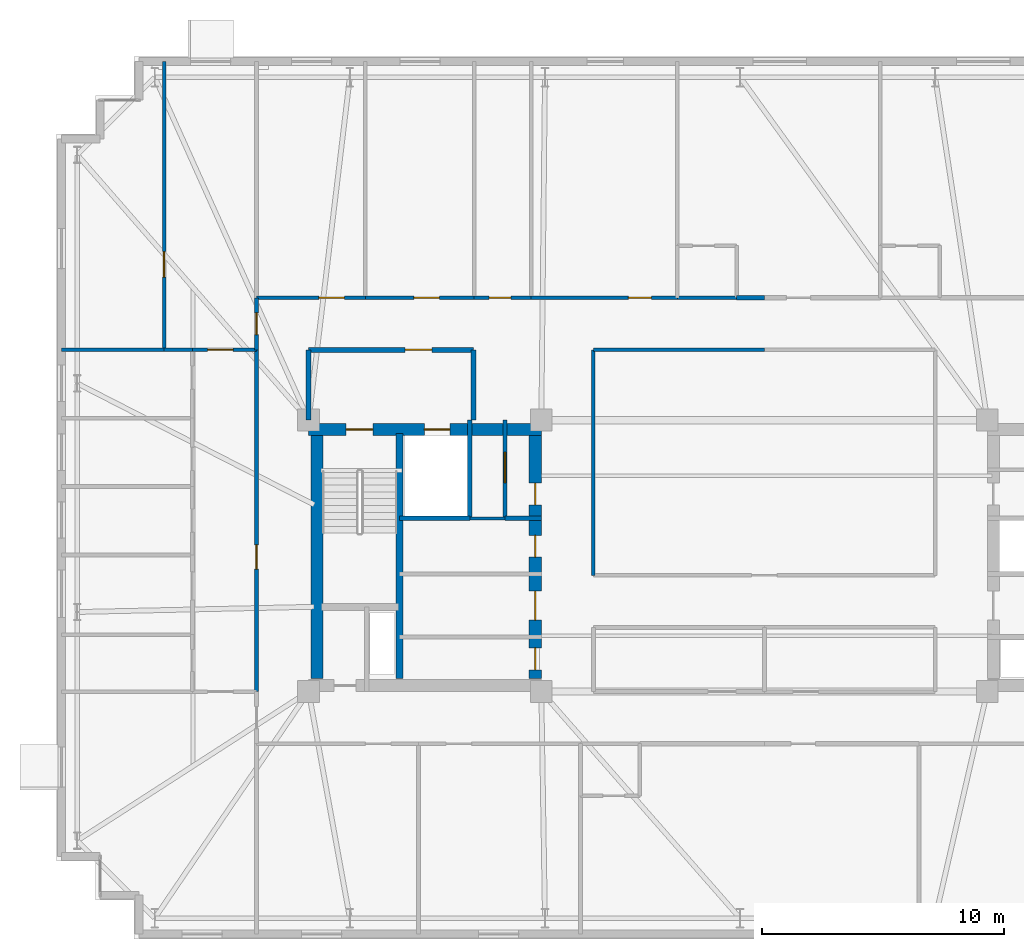
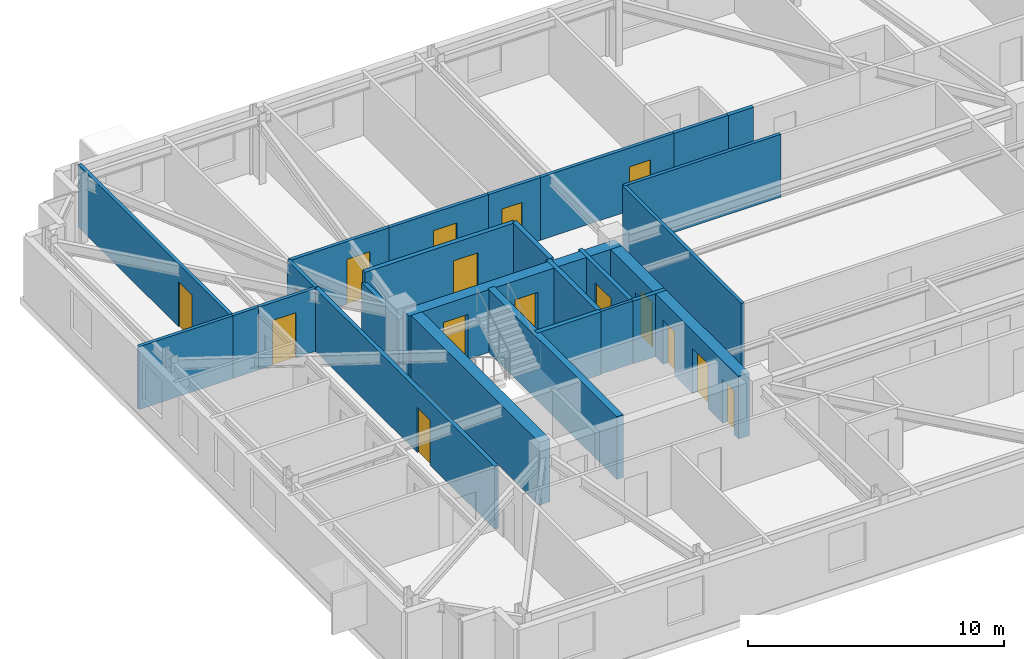
# One storey, part 12 of 17: 26 walls, 16 doors, 16 openings.
"""IFC4 building model written with IfcOpenShell, lengths in metres."""

from ifc_helpers import new_model, si_unit, direction, frame, frame_2d, origin, place, context, subcontext, project, spatial, rectangle, extrude, material, layer, layer_set, type_object, element, fill, save


model = new_model("IFC4")

# Units and contexts
model_context = context("Model", 3, precision=1e-05, world=origin(), true_north=direction((0.0, 1.0)))
body_context = subcontext(model_context, "Body", "Model", "MODEL_VIEW")
ifc_project = project(units=[si_unit("LENGTHUNIT", "METRE"), si_unit("AREAUNIT", "SQUARE_METRE"), si_unit("VOLUMEUNIT", "CUBIC_METRE"), si_unit("PLANEANGLEUNIT", "RADIAN"), si_unit("MASSUNIT", "GRAM", prefix="KILO")], contexts=[model_context])

# Site, building, storey
site_placement = place(None, origin())
site = spatial("IfcSite", under=ifc_project, at=site_placement, CompositionType="ELEMENT")
building_placement = place(site_placement, origin())
building = spatial("IfcBuilding", under=site, at=building_placement, Name="Qobustan Lattice House", CompositionType="ELEMENT")
storey_placement = place(building_placement, frame((0.0, 0.0, 171.199951171875)))
storey = spatial("IfcBuildingStorey", under=building, at=storey_placement, Name="L48", CompositionType="ELEMENT", Elevation=171.199951171875)

# Wall, openings, doors
ifc_material_1 = material(Name="Concrete C50/60", Category="concrete")
ifc_layer_1 = layer(ifc_material_1, 0.5)
ifc_layer_set_1 = layer_set([ifc_layer_1], Name="Concrete C50/60")
wall_type_1 = type_object("IfcWallType", Name="WAL-CORE-500", PredefinedType="SHEAR", material=ifc_layer_set_1)
wall_1_placement = place(storey_placement, frame((-18.800048828125, 5.2099609375, 0.0), z_axis=(0.0, 0.0, 1.0), x_axis=(1.0, 0.0, 0.0)))
wall_1 = element("IfcWall", 1, at=wall_1_placement, inside=storey, type_object=wall_type_1, Name="L48 split-core shear wall CW-N", PredefinedType="SHEAR", context=body_context, shape_type="SweptSolid", body=[
    extrude(rectangle(XDim=9.60009765625, YDim=0.5, at=frame_2d((4.800048828125, 0.0))), origin(), (0.0, 0.0, 1.0), 3.0),
])
opening_1_placement = place(wall_1_placement, frame((1.550048828125, 0.0, 0.0)))
opening_1 = element("IfcOpeningElement", 2, at=opening_1_placement, cuts=wall_1, Name="Opening SD-01", PredefinedType="OPENING", context=body_context, shape_type="SweptSolid", body=[
    extrude(rectangle(XDim=1.10009765625, YDim=2.14990234375, at=frame_2d((0.550048828125, 1.074951171875))), frame((0.0, 0.260009765625, 0.0), z_axis=(0.0, -1.0, 0.0), x_axis=(1.0, 0.0, 0.0)), (0.0, 0.0, 1.0), 0.52001953125),
])
opening_2_placement = place(wall_1_placement, frame((4.77490234375, 0.0, 0.0)))
opening_2 = element("IfcOpeningElement", 3, at=opening_2_placement, cuts=wall_1, Name="Opening LD-01", PredefinedType="OPENING", context=body_context, shape_type="SweptSolid", body=[
    extrude(rectangle(XDim=1.050048828125, YDim=2.10009765625, at=frame_2d((0.52490234375, 1.050048828125))), frame((0.0, 0.260009765625, 0.0), z_axis=(0.0, -1.0, 0.0), x_axis=(1.0, 0.0, 0.0)), (0.0, 0.0, 1.0), 0.52001953125),
])
ifc_material_2 = material(Name="Persian walnut timber and steel frame door", Category="steel")
door_type_1 = type_object("IfcDoorType", Name="DOR-LIFT-LD-1050x2100", OperationType="NOTDEFINED", PredefinedType="DOOR", material=ifc_material_2)
door_1_placement = place(opening_2_placement, origin())
door_1 = element("IfcDoor", 4, at=door_1_placement, inside=storey, type_object=door_type_1, Name="L48 firefighting lift FF-W landing door", OperationType="DOUBLE_DOOR_SLIDING", OverallHeight=2.10009765625, OverallWidth=1.050048828125, PredefinedType="DOOR", context=body_context, shape_type="SweptSolid", body=[
    extrude(rectangle(XDim=1.050048828125, YDim=2.10009765625, at=frame_2d((0.52490234375, 1.050048828125))), frame((0.0, 0.02490234375, 0.0), z_axis=(0.0, -1.0, 0.0), x_axis=(1.0, 0.0, 0.0)), (0.0, 0.0, 1.0), 0.050048828125),
])
fill(opening_2, door_1)
ifc_material_3 = material(Name="Persian walnut timber and steel frame door", Category="steel")
door_type_2 = type_object("IfcDoorType", Name="DOR-STAIR-FD-1100x2150", OperationType="NOTDEFINED", PredefinedType="DOOR", material=ifc_material_3)
door_2_placement = place(opening_1_placement, origin())
door_2 = element("IfcDoor", 5, at=door_2_placement, inside=storey, type_object=door_type_2, Name="L48 exit stair ST-W1 fire door", OperationType="SINGLE_SWING_LEFT", OverallHeight=2.14990234375, OverallWidth=1.10009765625, PredefinedType="DOOR", context=body_context, shape_type="SweptSolid", body=[
    extrude(rectangle(XDim=1.10009765625, YDim=2.14990234375, at=frame_2d((0.550048828125, 1.074951171875))), frame((0.0, 0.02490234375, 0.0), z_axis=(0.0, -1.0, 0.0), x_axis=(1.0, 0.0, 0.0)), (0.0, 0.0, 1.0), 0.050048828125),
])
fill(opening_1, door_2)

# Wall
wall_2_placement = place(storey_placement, frame((-18.4599609375, -5.050048828125, 0.0), z_axis=(0.0, 0.0, 1.0), x_axis=(0.0, 1.0, 0.0)))
element("IfcWall", 6, at=wall_2_placement, inside=storey, type_object=wall_type_1, Name="L48 split-core shear wall CW-W", PredefinedType="SHEAR", context=body_context, shape_type="SweptSolid", body=[
    extrude(rectangle(XDim=10.10009765625, YDim=0.5, at=frame_2d((5.050048828125, 0.0))), origin(), (0.0, 0.0, 1.0), 3.0),
])

# Wall, openings, doors
wall_3_placement = place(storey_placement, frame((-9.449951171875, -5.050048828125, 0.0), z_axis=(0.0, 0.0, 1.0), x_axis=(0.0, 1.0, 0.0)))
wall_3 = element("IfcWall", 7, at=wall_3_placement, inside=storey, type_object=wall_type_1, Name="L48 split-core shear wall CW-E", PredefinedType="SHEAR", context=body_context, shape_type="SweptSolid", body=[
    extrude(rectangle(XDim=10.10009765625, YDim=0.5, at=frame_2d((5.050048828125, 0.0))), origin(), (0.0, 0.0, 1.0), 3.0),
])
opening_3_placement = place(wall_3_placement, frame((7.14990234375, 0.0, 0.0)))
opening_3 = element("IfcOpeningElement", 8, at=opening_3_placement, cuts=wall_3, Name="Opening RD-01", PredefinedType="OPENING", context=body_context, shape_type="SweptSolid", body=[
    extrude(rectangle(XDim=0.89990234375, YDim=2.10009765625, at=frame_2d((0.449951171875, 1.050048828125))), frame((0.0, 0.260009765625, 0.0), z_axis=(0.0, -1.0, 0.0), x_axis=(1.0, 0.0, 0.0)), (0.0, 0.0, 1.0), 0.52001953125),
])
opening_4_placement = place(wall_3_placement, frame((2.39990234375, 0.0, 0.0)))
opening_4 = element("IfcOpeningElement", 9, at=opening_4_placement, cuts=wall_3, Name="Opening FD-01", PredefinedType="OPENING", context=body_context, shape_type="SweptSolid", body=[
    extrude(rectangle(XDim=1.199951171875, YDim=2.14990234375, at=frame_2d((0.60009765625, 1.074951171875))), frame((0.0, 0.260009765625, 0.0), z_axis=(0.0, -1.0, 0.0), x_axis=(1.0, 0.0, 0.0)), (0.0, 0.0, 1.0), 0.52001953125),
])
opening_5_placement = place(wall_3_placement, frame((0.35009765625, 0.0, 0.0)))
opening_5 = element("IfcOpeningElement", 10, at=opening_5_placement, cuts=wall_3, Name="Opening RD-01", PredefinedType="OPENING", context=body_context, shape_type="SweptSolid", body=[
    extrude(rectangle(XDim=0.89990234375, YDim=2.10009765625, at=frame_2d((0.449951171875, 1.050048828125))), frame((0.0, 0.260009765625, 0.0), z_axis=(0.0, -1.0, 0.0), x_axis=(1.0, 0.0, 0.0)), (0.0, 0.0, 1.0), 0.52001953125),
])
opening_6_placement = place(wall_3_placement, frame((5.0, 0.0, 0.0)))
opening_6 = element("IfcOpeningElement", 11, at=opening_6_placement, cuts=wall_3, Name="Opening RD-01", PredefinedType="OPENING", context=body_context, shape_type="SweptSolid", body=[
    extrude(rectangle(XDim=0.89990234375, YDim=2.10009765625, at=frame_2d((0.449951171875, 1.050048828125))), frame((0.0, 0.260009765625, 0.0), z_axis=(0.0, -1.0, 0.0), x_axis=(1.0, 0.0, 0.0)), (0.0, 0.0, 1.0), 0.52001953125),
])
ifc_material_4 = material(Name="Persian walnut timber and steel frame door", Category="steel")
door_type_3 = type_object("IfcDoorType", Name="DOR-LOBBY-FD-1200x2150", OperationType="NOTDEFINED", PredefinedType="DOOR", material=ifc_material_4)
door_3_placement = place(opening_4_placement, origin())
door_3 = element("IfcDoor", 12, at=door_3_placement, inside=storey, type_object=door_type_3, Name="L48 West core foyer fire door", OperationType="SINGLE_SWING_RIGHT", OverallHeight=2.14990234375, OverallWidth=1.199951171875, PredefinedType="DOOR", context=body_context, shape_type="SweptSolid", body=[
    extrude(rectangle(XDim=1.199951171875, YDim=2.14990234375, at=frame_2d((0.60009765625, 1.074951171875))), frame((0.0, 0.02490234375, 0.0), z_axis=(0.0, -1.0, 0.0), x_axis=(1.0, 0.0, 0.0)), (0.0, 0.0, 1.0), 0.050048828125),
])
fill(opening_4, door_3)
ifc_material_5 = material(Name="Persian walnut timber and steel frame door", Category="steel")
door_type_4 = type_object("IfcDoorType", Name="DOR-RISER-FD-900x2100", OperationType="NOTDEFINED", PredefinedType="DOOR", material=ifc_material_5)
door_4_placement = place(opening_3_placement, origin())
door_4 = element("IfcDoor", 13, at=door_4_placement, inside=storey, type_object=door_type_4, Name="L48 Data comms closet fire door", OperationType="SINGLE_SWING_LEFT", OverallHeight=2.10009765625, OverallWidth=0.89990234375, PredefinedType="DOOR", context=body_context, shape_type="SweptSolid", body=[
    extrude(rectangle(XDim=0.89990234375, YDim=2.10009765625, at=frame_2d((0.449951171875, 1.050048828125))), frame((0.0, 0.02490234375, 0.0), z_axis=(0.0, -1.0, 0.0), x_axis=(1.0, 0.0, 0.0)), (0.0, 0.0, 1.0), 0.050048828125),
])
fill(opening_3, door_4)
door_5_placement = place(opening_5_placement, origin())
door_5 = element("IfcDoor", 14, at=door_5_placement, inside=storey, type_object=door_type_4, Name="L48 Collaborative study lounge fire door", OperationType="SINGLE_SWING_LEFT", OverallHeight=2.10009765625, OverallWidth=0.89990234375, PredefinedType="DOOR", context=body_context, shape_type="SweptSolid", body=[
    extrude(rectangle(XDim=0.89990234375, YDim=2.10009765625, at=frame_2d((0.449951171875, 1.050048828125))), frame((0.0, 0.02490234375, 0.0), z_axis=(0.0, -1.0, 0.0), x_axis=(1.0, 0.0, 0.0)), (0.0, 0.0, 1.0), 0.050048828125),
])
fill(opening_5, door_5)
door_6_placement = place(opening_6_placement, origin())
door_6 = element("IfcDoor", 15, at=door_6_placement, inside=storey, type_object=door_type_4, Name="L48 Focus booth pod fire door", OperationType="SINGLE_SWING_RIGHT", OverallHeight=2.10009765625, OverallWidth=0.89990234375, PredefinedType="DOOR", context=body_context, shape_type="SweptSolid", body=[
    extrude(rectangle(XDim=0.89990234375, YDim=2.10009765625, at=frame_2d((0.449951171875, 1.050048828125))), frame((0.0, 0.02490234375, 0.0), z_axis=(0.0, -1.0, 0.0), x_axis=(1.0, 0.0, 0.0)), (0.0, 0.0, 1.0), 0.050048828125),
])
fill(opening_6, door_6)

# Wall
ifc_material_6 = material(Name="Concrete C50/60", Category="concrete")
ifc_layer_2 = layer(ifc_material_6, 0.280029296875)
ifc_layer_set_2 = layer_set([ifc_layer_2], Name="Concrete C50/60")
wall_type_2 = type_object("IfcWallType", Name="WAL-CORE-SPINE-280", PredefinedType="SHEAR", material=ifc_layer_set_2)
wall_4_placement = place(storey_placement, frame((-15.050048828125, -5.050048828125, 0.0), z_axis=(0.0, 0.0, 1.0), x_axis=(0.0, 1.0, 0.0)))
element("IfcWall", 16, at=wall_4_placement, inside=storey, type_object=wall_type_2, Name="L48 split-core shear wall CW-M", PredefinedType="SHEAR", context=body_context, shape_type="SweptSolid", body=[
    extrude(rectangle(XDim=10.10009765625, YDim=0.300048828125, at=frame_2d((5.050048828125, 0.0))), origin(), (0.0, 0.0, 1.0), 3.0),
])

# Wall, opening, door
ifc_material_7 = material(Name="Gypsum fireboard acoustic partition", Category="gypsum")
ifc_layer_3 = layer(ifc_material_7, 0.179931640625)
ifc_layer_set_3 = layer_set([ifc_layer_3], Name="Gypsum fireboard acoustic partition")
wall_type_3 = type_object("IfcWallType", Name="WAL-FIRE-180", PredefinedType="PARTITIONING", material=ifc_layer_set_3)
wall_5_placement = place(storey_placement, frame((-10.699951171875, 5.60009765625, 0.0), z_axis=(0.0, 0.0, 1.0), x_axis=(0.0, -1.0, 0.0)))
wall_5 = element("IfcWall", 17, at=wall_5_placement, inside=storey, type_object=wall_type_3, Name="L48 interior partition 6", PredefinedType="PARTITIONING", context=body_context, shape_type="SweptSolid", body=[
    extrude(rectangle(XDim=4.050048828125, YDim=0.179931640625, at=frame_2d((2.02490234375, 0.0))), origin(), (0.0, 0.0, 1.0), 3.0),
])
opening_7_placement = place(wall_5_placement, frame((1.324951171875, 0.0, 0.0)))
opening_7 = element("IfcOpeningElement", 18, at=opening_7_placement, cuts=wall_5, Name="Opening FD-03", PredefinedType="OPENING", context=body_context, shape_type="SweptSolid", body=[
    extrude(rectangle(XDim=1.25, YDim=2.199951171875, at=frame_2d((0.625, 1.10009765625))), frame((0.0, 0.099853515625, 0.0), z_axis=(0.0, -1.0, 0.0), x_axis=(1.0, 0.0, 0.0)), (0.0, 0.0, 1.0), 0.199951171875),
])
ifc_material_8 = material(Name="Persian walnut timber and steel frame door", Category="steel")
door_type_5 = type_object("IfcDoorType", Name="DOR-PLANT-1250x2200", OperationType="NOTDEFINED", PredefinedType="DOOR", material=ifc_material_8)
door_7_placement = place(opening_7_placement, origin())
door_7 = element("IfcDoor", 19, at=door_7_placement, inside=storey, type_object=door_type_5, Name="L48 Data comms closet to Linen store door", OperationType="SINGLE_SWING_RIGHT", OverallHeight=2.199951171875, OverallWidth=1.25, PredefinedType="DOOR", context=body_context, shape_type="SweptSolid", body=[
    extrude(rectangle(XDim=1.25, YDim=2.199951171875, at=frame_2d((0.625, 1.10009765625))), frame((0.0, 0.02490234375, 0.0), z_axis=(0.0, -1.0, 0.0), x_axis=(1.0, 0.0, 0.0)), (0.0, 0.0, 1.0), 0.050048828125),
])
fill(opening_7, door_7)

# Walls
wall_6_placement = place(storey_placement, frame((-10.699951171875, 1.550048828125, 0.0), z_axis=(0.0, 0.0, 1.0), x_axis=(1.0, 0.0, 0.0)))
element("IfcWall", 20, at=wall_6_placement, inside=storey, type_object=wall_type_3, Name="L48 interior partition 7", PredefinedType="PARTITIONING", context=body_context, shape_type="SweptSolid", body=[
    extrude(rectangle(XDim=1.5, YDim=0.179931640625, at=frame_2d((0.75, 0.0))), origin(), (0.0, 0.0, 1.0), 3.0),
])
wall_7_placement = place(storey_placement, frame((-1.139892578125, 10.64990234375, 0.0), z_axis=(0.0, 0.0, 1.0), x_axis=(1.0, 0.0, 0.0)))
element("IfcWall", 21, at=wall_7_placement, inside=storey, type_object=wall_type_3, Name="L48 interior partition 39", PredefinedType="PARTITIONING", context=body_context, shape_type="SweptSolid", body=[
    extrude(rectangle(XDim=1.139892578125, YDim=0.179931640625, at=frame_2d((0.56982421875, 0.0))), origin(), (0.0, 0.0, 1.0), 3.0),
])

# Wall, opening, door
wall_8_placement = place(storey_placement, frame((-20.949951171875, -5.60009765625, 0.0), z_axis=(0.0, 0.0, 1.0), x_axis=(0.0, 1.0, 0.0)))
wall_8 = element("IfcWall", 22, at=wall_8_placement, inside=storey, type_object=wall_type_3, Name="L48 interior partition 59", PredefinedType="PARTITIONING", context=body_context, shape_type="SweptSolid", body=[
    extrude(rectangle(XDim=14.10009765625, YDim=0.179931640625, at=frame_2d((7.050048828125, 0.0))), origin(), (0.0, 0.0, 1.0), 3.0),
])
opening_8_placement = place(wall_8_placement, frame((5.0576171875, 0.0, 0.0)))
opening_8 = element("IfcOpeningElement", 23, at=opening_8_placement, cuts=wall_8, Name="Opening FD-02", PredefinedType="OPENING", context=body_context, shape_type="SweptSolid", body=[
    extrude(rectangle(XDim=1.0, YDim=2.14990234375, at=frame_2d((0.5, 1.074951171875))), frame((0.0, 0.099853515625, 0.0), z_axis=(0.0, -1.0, 0.0), x_axis=(1.0, 0.0, 0.0)), (0.0, 0.0, 1.0), 0.199951171875),
])
ifc_material_9 = material(Name="Persian walnut timber and steel frame door", Category="steel")
door_type_6 = type_object("IfcDoorType", Name="DOR-UNIT-FD-1000x2150", OperationType="NOTDEFINED", PredefinedType="DOOR", material=ifc_material_9)
door_8_placement = place(opening_8_placement, origin())
door_8 = element("IfcDoor", 24, at=door_8_placement, inside=storey, type_object=door_type_6, Name="L48 West wing spine gallery to Residence entrance hall L48W door", OperationType="SINGLE_SWING_LEFT", OverallHeight=2.14990234375, OverallWidth=1.0, PredefinedType="DOOR", context=body_context, shape_type="SweptSolid", body=[
    extrude(rectangle(XDim=1.0, YDim=2.14990234375, at=frame_2d((0.5, 1.074951171875))), frame((0.0, 0.02490234375, 0.0), z_axis=(0.0, -1.0, 0.0), x_axis=(1.0, 0.0, 0.0)), (0.0, 0.0, 1.0), 0.050048828125),
])
fill(opening_8, door_8)

# Wall
ifc_material_10 = material(Name="Lightweight acoustic stud partition", Category="gypsum")
ifc_layer_4 = layer(ifc_material_10, 0.125)
ifc_layer_set_4 = layer_set([ifc_layer_4], Name="Lightweight acoustic stud partition")
wall_type_4 = type_object("IfcWallType", Name="WAL-PART-125", PredefinedType="PARTITIONING", material=ifc_layer_set_4)
wall_9_placement = place(storey_placement, frame((-12.14990234375, 1.550048828125, 0.0), z_axis=(0.0, 0.0, 1.0), x_axis=(1.0, 0.0, 0.0)))
element("IfcWall", 25, at=wall_9_placement, inside=storey, type_object=wall_type_4, Name="L48 interior partition 9", PredefinedType="PARTITIONING", context=body_context, shape_type="SweptSolid", body=[
    extrude(rectangle(XDim=1.449951171875, YDim=0.125, at=frame_2d((0.72509765625, 0.0))), origin(), (0.0, 0.0, 1.0), 3.0),
])

# Wall, opening, door
ifc_material_11 = material(Name="Acoustic twin-stud gypsum partition", Category="gypsum")
ifc_layer_5 = layer(ifc_material_11, 0.14990234375)
ifc_layer_set_5 = layer_set([ifc_layer_5], Name="Acoustic twin-stud gypsum partition")
wall_type_5 = type_object("IfcWallType", Name="WAL-PART-150", PredefinedType="PARTITIONING", material=ifc_layer_set_5)
wall_10_placement = place(storey_placement, frame((-20.949951171875, 8.5, 0.0), z_axis=(0.0, 0.0, 1.0), x_axis=(0.0, 1.0, 0.0)))
wall_10 = element("IfcWall", 26, at=wall_10_placement, inside=storey, type_object=wall_type_5, Name="L48 interior partition 34", PredefinedType="PARTITIONING", context=body_context, shape_type="SweptSolid", body=[
    extrude(rectangle(XDim=2.14990234375, YDim=0.14990234375, at=frame_2d((1.074951171875, 0.0))), origin(), (0.0, 0.0, 1.0), 3.0),
])
opening_9_placement = place(wall_10_placement, frame((0.625, 0.0, 0.0)))
opening_9 = element("IfcOpeningElement", 27, at=opening_9_placement, cuts=wall_10, Name="Opening WD-01", PredefinedType="OPENING", context=body_context, shape_type="SweptSolid", body=[
    extrude(rectangle(XDim=0.89990234375, YDim=2.10009765625, at=frame_2d((0.449951171875, 1.050048828125))), frame((0.0, 0.0849609375, 0.0), z_axis=(0.0, -1.0, 0.0), x_axis=(1.0, 0.0, 0.0)), (0.0, 0.0, 1.0), 0.169921875),
])
ifc_material_12 = material(Name="Persian walnut timber and steel frame door", Category="steel")
door_type_7 = type_object("IfcDoorType", Name="DOR-WET-900x2100", OperationType="NOTDEFINED", PredefinedType="DOOR", material=ifc_material_12)
door_9_placement = place(opening_9_placement, origin())
door_9 = element("IfcDoor", 28, at=door_9_placement, inside=storey, type_object=door_type_7, Name="L48 North-west floor corridor to Reading seminar room L48WN door", OperationType="SINGLE_SWING_LEFT", OverallHeight=2.10009765625, OverallWidth=0.89990234375, PredefinedType="DOOR", context=body_context, shape_type="SweptSolid", body=[
    extrude(rectangle(XDim=0.89990234375, YDim=2.10009765625, at=frame_2d((0.449951171875, 1.050048828125))), frame((0.0, 0.02490234375, 0.0), z_axis=(0.0, -1.0, 0.0), x_axis=(1.0, 0.0, 0.0)), (0.0, 0.0, 1.0), 0.050048828125),
])
fill(opening_9, door_9)

wall_11_placement = place(storey_placement, frame((-20.949951171875, 10.64990234375, 0.0), z_axis=(0.0, 0.0, 1.0), x_axis=(1.0, 0.0, 0.0)))
wall_11 = element("IfcWall", 29, at=wall_11_placement, inside=storey, type_object=wall_type_5, Name="L48 interior partition 35", PredefinedType="PARTITIONING", context=body_context, shape_type="SweptSolid", body=[
    extrude(rectangle(XDim=4.489990234375, YDim=0.14990234375, at=frame_2d((2.2451171875, 0.0))), origin(), (0.0, 0.0, 1.0), 3.0),
])
opening_10_placement = place(wall_11_placement, frame((2.574951171875, 0.0, 0.0)))
opening_10 = element("IfcOpeningElement", 30, at=opening_10_placement, cuts=wall_11, Name="Opening ID-02", PredefinedType="OPENING", context=body_context, shape_type="SweptSolid", body=[
    extrude(rectangle(XDim=1.050048828125, YDim=2.14990234375, at=frame_2d((0.52490234375, 1.074951171875))), frame((0.0, 0.0849609375, 0.0), z_axis=(0.0, -1.0, 0.0), x_axis=(1.0, 0.0, 0.0)), (0.0, 0.0, 1.0), 0.169921875),
])
ifc_material_13 = material(Name="Persian walnut timber and steel frame door", Category="steel")
door_type_8 = type_object("IfcDoorType", Name="DOR-STUDY-1050x2150", OperationType="NOTDEFINED", PredefinedType="DOOR", material=ifc_material_13)
door_10_placement = place(opening_10_placement, origin())
door_10 = element("IfcDoor", 31, at=door_10_placement, inside=storey, type_object=door_type_8, Name="L48 North-west floor corridor to Focus study room N1A door", OperationType="SINGLE_SWING_RIGHT", OverallHeight=2.14990234375, OverallWidth=1.050048828125, PredefinedType="DOOR", context=body_context, shape_type="SweptSolid", body=[
    extrude(rectangle(XDim=1.050048828125, YDim=2.14990234375, at=frame_2d((0.52490234375, 1.074951171875))), frame((0.0, 0.02490234375, 0.0), z_axis=(0.0, -1.0, 0.0), x_axis=(1.0, 0.0, 0.0)), (0.0, 0.0, 1.0), 0.050048828125),
])
fill(opening_10, door_10)

wall_12_placement = place(storey_placement, frame((-16.4599609375, 10.64990234375, 0.0), z_axis=(0.0, 0.0, 1.0), x_axis=(1.0, 0.0, 0.0)))
wall_12 = element("IfcWall", 32, at=wall_12_placement, inside=storey, type_object=wall_type_5, Name="L48 interior partition 36", PredefinedType="PARTITIONING", context=body_context, shape_type="SweptSolid", body=[
    extrude(rectangle(XDim=4.489990234375, YDim=0.14990234375, at=frame_2d((2.2451171875, 0.0))), origin(), (0.0, 0.0, 1.0), 3.0),
])
opening_11_placement = place(wall_12_placement, frame((2.0048828125, 0.0, 0.0)))
opening_11 = element("IfcOpeningElement", 33, at=opening_11_placement, cuts=wall_12, Name="Opening ID-02", PredefinedType="OPENING", context=body_context, shape_type="SweptSolid", body=[
    extrude(rectangle(XDim=1.050048828125, YDim=2.14990234375, at=frame_2d((0.52490234375, 1.074951171875))), frame((0.0, 0.0849609375, 0.0), z_axis=(0.0, -1.0, 0.0), x_axis=(1.0, 0.0, 0.0)), (0.0, 0.0, 1.0), 0.169921875),
])
door_11_placement = place(opening_11_placement, origin())
door_11 = element("IfcDoor", 34, at=door_11_placement, inside=storey, type_object=door_type_8, Name="L48 North-west floor corridor to Focus study room N1B door", OperationType="SINGLE_SWING_LEFT", OverallHeight=2.14990234375, OverallWidth=1.050048828125, PredefinedType="DOOR", context=body_context, shape_type="SweptSolid", body=[
    extrude(rectangle(XDim=1.050048828125, YDim=2.14990234375, at=frame_2d((0.52490234375, 1.074951171875))), frame((0.0, 0.02490234375, 0.0), z_axis=(0.0, -1.0, 0.0), x_axis=(1.0, 0.0, 0.0)), (0.0, 0.0, 1.0), 0.050048828125),
])
fill(opening_11, door_11)

wall_13_placement = place(storey_placement, frame((-9.6201171875, 10.64990234375, 0.0), z_axis=(0.0, 0.0, 1.0), x_axis=(1.0, 0.0, 0.0)))
wall_13 = element("IfcWall", 35, at=wall_13_placement, inside=storey, type_object=wall_type_5, Name="L48 interior partition 38", PredefinedType="PARTITIONING", context=body_context, shape_type="SweptSolid", body=[
    extrude(rectangle(XDim=6.030029296875, YDim=0.14990234375, at=frame_2d((3.01513671875, 0.0))), origin(), (0.0, 0.0, 1.0), 3.0),
])
opening_12_placement = place(wall_13_placement, frame((4.010009765625, 0.0, 0.0)))
opening_12 = element("IfcOpeningElement", 36, at=opening_12_placement, cuts=wall_13, Name="Opening ID-01", PredefinedType="OPENING", context=body_context, shape_type="SweptSolid", body=[
    extrude(rectangle(XDim=0.949951171875, YDim=2.10009765625, at=frame_2d((0.47509765625, 1.050048828125))), frame((0.0, 0.0849609375, 0.0), z_axis=(0.0, -1.0, 0.0), x_axis=(1.0, 0.0, 0.0)), (0.0, 0.0, 1.0), 0.169921875),
])
ifc_material_14 = material(Name="Persian walnut timber and steel frame door", Category="steel")
door_type_9 = type_object("IfcDoorType", Name="DOR-ROOM-950x2100", OperationType="NOTDEFINED", PredefinedType="DOOR", material=ifc_material_14)
door_12_placement = place(opening_12_placement, origin())
door_12 = element("IfcDoor", 37, at=door_12_placement, inside=storey, type_object=door_type_9, Name="L48 North-west floor corridor to Laundry utility room door", OperationType="SINGLE_SWING_LEFT", OverallHeight=2.10009765625, OverallWidth=0.949951171875, PredefinedType="DOOR", context=body_context, shape_type="SweptSolid", body=[
    extrude(rectangle(XDim=0.949951171875, YDim=2.10009765625, at=frame_2d((0.47509765625, 1.050048828125))), frame((0.0, 0.02490234375, 0.0), z_axis=(0.0, -1.0, 0.0), x_axis=(1.0, 0.0, 0.0)), (0.0, 0.0, 1.0), 0.050048828125),
])
fill(opening_12, door_12)

# Walls
wall_14_placement = place(storey_placement, frame((0.0, 8.5, 0.0), z_axis=(0.0, 0.0, 1.0), x_axis=(-1.0, 0.0, 0.0)))
element("IfcWall", 38, at=wall_14_placement, inside=storey, type_object=wall_type_5, Name="L48 interior partition 41", PredefinedType="PARTITIONING", context=body_context, shape_type="SweptSolid", body=[
    extrude(rectangle(XDim=7.050048828125, YDim=0.14990234375, at=frame_2d((3.52490234375, 0.0))), origin(), (0.0, 0.0, 1.0), 3.0),
])
wall_15_placement = place(storey_placement, frame((-7.050048828125, 8.5, 0.0), z_axis=(0.0, 0.0, 1.0), x_axis=(0.0, -1.0, 0.0)))
element("IfcWall", 39, at=wall_15_placement, inside=storey, type_object=wall_type_5, Name="L48 interior partition 65", PredefinedType="PARTITIONING", context=body_context, shape_type="SweptSolid", body=[
    extrude(rectangle(XDim=9.300048828125, YDim=0.14990234375, at=frame_2d((4.64990234375, 0.0))), origin(), (0.0, 0.0, 1.0), 3.0),
])

# Wall, opening, door
wall_16_placement = place(storey_placement, frame((-23.60009765625, 8.5, 0.0), z_axis=(0.0, 0.0, 1.0), x_axis=(1.0, 0.0, 0.0)))
wall_16 = element("IfcWall", 40, at=wall_16_placement, inside=storey, type_object=wall_type_5, Name="L48 interior partition 69", PredefinedType="PARTITIONING", context=body_context, shape_type="SweptSolid", body=[
    extrude(rectangle(XDim=2.650146484375, YDim=0.14990234375, at=frame_2d((1.3251953125, 0.0))), origin(), (0.0, 0.0, 1.0), 3.0),
])
opening_13_placement = place(wall_16_placement, frame((0.635009765625, 0.0, 0.0)))
opening_13 = element("IfcOpeningElement", 41, at=opening_13_placement, cuts=wall_16, Name="Opening ID-02", PredefinedType="OPENING", context=body_context, shape_type="SweptSolid", body=[
    extrude(rectangle(XDim=1.050048828125, YDim=2.14990234375, at=frame_2d((0.52490234375, 1.074951171875))), frame((0.0, 0.0849609375, 0.0), z_axis=(0.0, -1.0, 0.0), x_axis=(1.0, 0.0, 0.0)), (0.0, 0.0, 1.0), 0.169921875),
])
door_13_placement = place(opening_13_placement, origin())
door_13 = element("IfcDoor", 42, at=door_13_placement, inside=storey, type_object=door_type_8, Name="L48 Residence entrance hall L48W to Reading seminar room L48WN door", OperationType="SINGLE_SWING_LEFT", OverallHeight=2.14990234375, OverallWidth=1.050048828125, PredefinedType="DOOR", context=body_context, shape_type="SweptSolid", body=[
    extrude(rectangle(XDim=1.050048828125, YDim=2.14990234375, at=frame_2d((0.52490234375, 1.074951171875))), frame((0.0, 0.02490234375, 0.0), z_axis=(0.0, -1.0, 0.0), x_axis=(1.0, 0.0, 0.0)), (0.0, 0.0, 1.0), 0.050048828125),
])
fill(opening_13, door_13)

wall_17_placement = place(storey_placement, frame((-24.764892578125, 8.5, 0.0), z_axis=(0.0, 0.0, 1.0), x_axis=(0.0, 1.0, 0.0)))
wall_17 = element("IfcWall", 43, at=wall_17_placement, inside=storey, type_object=wall_type_5, Name="L48 interior partition 76", PredefinedType="PARTITIONING", context=body_context, shape_type="SweptSolid", body=[
    extrude(rectangle(XDim=11.89990234375, YDim=0.14990234375, at=frame_2d((5.949951171875, 0.0))), origin(), (0.0, 0.0, 1.0), 3.0),
])
opening_14_placement = place(wall_17_placement, frame((3.00244140625, 0.0, 0.0)))
opening_14 = element("IfcOpeningElement", 44, at=opening_14_placement, cuts=wall_17, Name="Opening ID-02", PredefinedType="OPENING", context=body_context, shape_type="SweptSolid", body=[
    extrude(rectangle(XDim=1.050048828125, YDim=2.14990234375, at=frame_2d((0.52490234375, 1.074951171875))), frame((0.0, 0.0849609375, 0.0), z_axis=(0.0, -1.0, 0.0), x_axis=(1.0, 0.0, 0.0)), (0.0, 0.0, 1.0), 0.169921875),
])
door_14_placement = place(opening_14_placement, origin())
door_14 = element("IfcDoor", 45, at=door_14_placement, inside=storey, type_object=door_type_8, Name="L48 Reading seminar room L48WN to Collaborative study room L48WN door", OperationType="SINGLE_SWING_RIGHT", OverallHeight=2.14990234375, OverallWidth=1.050048828125, PredefinedType="DOOR", context=body_context, shape_type="SweptSolid", body=[
    extrude(rectangle(XDim=1.050048828125, YDim=2.14990234375, at=frame_2d((0.52490234375, 1.074951171875))), frame((0.0, 0.02490234375, 0.0), z_axis=(0.0, -1.0, 0.0), x_axis=(1.0, 0.0, 0.0)), (0.0, 0.0, 1.0), 0.050048828125),
])
fill(opening_14, door_14)

# Walls
wall_18_placement = place(storey_placement, frame((-23.60009765625, 8.5, 0.0), z_axis=(0.0, 0.0, 1.0), x_axis=(-1.0, 0.0, 0.0)))
element("IfcWall", 46, at=wall_18_placement, inside=storey, type_object=wall_type_5, Name="L48 interior partition 77", PredefinedType="PARTITIONING", context=body_context, shape_type="SweptSolid", body=[
    extrude(rectangle(XDim=1.164794921875, YDim=0.14990234375, at=frame_2d((0.58251953125, 0.0))), origin(), (0.0, 0.0, 1.0), 3.0),
])
wall_19_placement = place(storey_placement, frame((-24.764892578125, 8.5, 0.0), z_axis=(0.0, 0.0, 1.0), x_axis=(-1.0, 0.0, 0.0)))
element("IfcWall", 47, at=wall_19_placement, inside=storey, type_object=wall_type_5, Name="L48 interior partition 79", PredefinedType="PARTITIONING", context=body_context, shape_type="SweptSolid", body=[
    extrude(rectangle(XDim=4.235107421875, YDim=0.14990234375, at=frame_2d((2.11767578125, 0.0))), origin(), (0.0, 0.0, 1.0), 3.0),
])

# Wall, opening, door
ifc_material_15 = material(Name="Two-hour gypsum fireboard acoustic partition", Category="gypsum")
ifc_layer_6 = layer(ifc_material_15, 0.199951171875)
ifc_layer_set_6 = layer_set([ifc_layer_6], Name="Two-hour gypsum fireboard acoustic partition")
wall_type_6 = type_object("IfcWallType", Name="WAL-PROT-200", PredefinedType="PARTITIONING", material=ifc_layer_set_6)
wall_20_placement = place(storey_placement, frame((-12.0, 8.5, 0.0), z_axis=(0.0, 0.0, 1.0), x_axis=(-1.0, 0.0, 0.0)))
wall_20 = element("IfcWall", 48, at=wall_20_placement, inside=storey, type_object=wall_type_6, Name="L48 interior partition 3", PredefinedType="PARTITIONING", context=body_context, shape_type="SweptSolid", body=[
    extrude(rectangle(XDim=6.800048828125, YDim=0.199951171875, at=frame_2d((3.39990234375, 0.0))), origin(), (0.0, 0.0, 1.0), 3.0),
])
opening_15_placement = place(wall_20_placement, frame((1.715087890625, 0.0, 0.0)))
opening_15 = element("IfcOpeningElement", 49, at=opening_15_placement, cuts=wall_20, Name="Opening SD-01", PredefinedType="OPENING", context=body_context, shape_type="SweptSolid", body=[
    extrude(rectangle(XDim=1.10009765625, YDim=2.14990234375, at=frame_2d((0.550048828125, 1.074951171875))), frame((0.0, 0.10986328125, 0.0), z_axis=(0.0, -1.0, 0.0), x_axis=(1.0, 0.0, 0.0)), (0.0, 0.0, 1.0), 0.219970703125),
])
door_15_placement = place(opening_15_placement, origin())
door_15 = element("IfcDoor", 50, at=door_15_placement, inside=storey, type_object=door_type_2, Name="L48 West firefighting lift lobby to North-west floor corridor door", OperationType="SINGLE_SWING_LEFT", OverallHeight=2.14990234375, OverallWidth=1.10009765625, PredefinedType="DOOR", context=body_context, shape_type="SweptSolid", body=[
    extrude(rectangle(XDim=1.10009765625, YDim=2.14990234375, at=frame_2d((0.550048828125, 1.074951171875))), frame((0.0, 0.02490234375, 0.0), z_axis=(0.0, -1.0, 0.0), x_axis=(1.0, 0.0, 0.0)), (0.0, 0.0, 1.0), 0.050048828125),
])
fill(opening_15, door_15)

# Walls
wall_21_placement = place(storey_placement, frame((-18.800048828125, 8.5, 0.0), z_axis=(0.0, 0.0, 1.0), x_axis=(0.0, -1.0, 0.0)))
element("IfcWall", 51, at=wall_21_placement, inside=storey, type_object=wall_type_6, Name="L48 interior partition 4", PredefinedType="PARTITIONING", context=body_context, shape_type="SweptSolid", body=[
    extrude(rectangle(XDim=2.89990234375, YDim=0.199951171875, at=frame_2d((1.449951171875, 0.0))), origin(), (0.0, 0.0, 1.0), 2.485107421875),
])
wall_22_placement = place(storey_placement, frame((-12.0, 5.60009765625, 0.0), z_axis=(0.0, 0.0, 1.0), x_axis=(0.0, 1.0, 0.0)))
element("IfcWall", 52, at=wall_22_placement, inside=storey, type_object=wall_type_6, Name="L48 interior partition 5", PredefinedType="PARTITIONING", context=body_context, shape_type="SweptSolid", body=[
    extrude(rectangle(XDim=2.89990234375, YDim=0.199951171875, at=frame_2d((1.449951171875, 0.0))), origin(), (0.0, 0.0, 1.0), 3.0),
])
ifc_material_16 = material(Name="Concrete C40/50", Category="concrete")
ifc_layer_7 = layer(ifc_material_16, 0.199951171875)
ifc_layer_set_7 = layer_set([ifc_layer_7], Name="Concrete C40/50")
wall_type_7 = type_object("IfcWallType", Name="WAL-SHAFT-200", PredefinedType="PARTITIONING", material=ifc_layer_set_7)
wall_23_placement = place(storey_placement, frame((-12.14990234375, 1.550048828125, 0.0), z_axis=(0.0, 0.0, 1.0), x_axis=(0.0, 1.0, 0.0)))
element("IfcWall", 53, at=wall_23_placement, inside=storey, type_object=wall_type_7, Name="L48 interior partition 2", PredefinedType="PARTITIONING", context=body_context, shape_type="SweptSolid", body=[
    extrude(rectangle(XDim=4.050048828125, YDim=0.199951171875, at=frame_2d((2.02490234375, 0.0))), origin(), (0.0, 0.0, 1.0), 3.0),
])
wall_24_placement = place(storey_placement, frame((-15.050048828125, 1.550048828125, 0.0), z_axis=(0.0, 0.0, 1.0), x_axis=(1.0, 0.0, 0.0)))
element("IfcWall", 54, at=wall_24_placement, inside=storey, type_object=wall_type_7, Name="L48 interior partition 109", PredefinedType="PARTITIONING", context=body_context, shape_type="SweptSolid", body=[
    extrude(rectangle(XDim=2.900146484375, YDim=0.199951171875, at=frame_2d((1.4501953125, 0.0))), origin(), (0.0, 0.0, 1.0), 3.0),
])

# Wall, opening, door
ifc_material_17 = material(Name="Moisture-resistant acoustic plumbing wall", Category="gypsum")
ifc_layer_8 = layer(ifc_material_17, 0.14990234375)
ifc_layer_set_8 = layer_set([ifc_layer_8], Name="Moisture-resistant acoustic plumbing wall")
wall_type_8 = type_object("IfcWallType", Name="WAL-WET-150", PredefinedType="PLUMBINGWALL", material=ifc_layer_set_8)
wall_25_placement = place(storey_placement, frame((-11.969970703125, 10.64990234375, 0.0), z_axis=(0.0, 0.0, 1.0), x_axis=(1.0, 0.0, 0.0)))
wall_25 = element("IfcWall", 55, at=wall_25_placement, inside=storey, type_object=wall_type_8, Name="L48 interior partition 37", PredefinedType="PLUMBINGWALL", context=body_context, shape_type="SweptSolid", body=[
    extrude(rectangle(XDim=2.349853515625, YDim=0.14990234375, at=frame_2d((1.1748046875, 0.0))), origin(), (0.0, 0.0, 1.0), 3.0),
])
opening_16_placement = place(wall_25_placement, frame((0.6162109375, 0.0, 0.0)))
opening_16 = element("IfcOpeningElement", 56, at=opening_16_placement, cuts=wall_25, Name="Opening WD-01", PredefinedType="OPENING", context=body_context, shape_type="SweptSolid", body=[
    extrude(rectangle(XDim=0.89990234375, YDim=2.10009765625, at=frame_2d((0.449951171875, 1.050048828125))), frame((0.0, 0.0849609375, 0.0), z_axis=(0.0, -1.0, 0.0), x_axis=(1.0, 0.0, 0.0)), (0.0, 0.0, 1.0), 0.169921875),
])
door_16_placement = place(opening_16_placement, origin())
door_16 = element("IfcDoor", 57, at=door_16_placement, inside=storey, type_object=door_type_7, Name="L48 North-west floor corridor to Accessible WC door", OperationType="SINGLE_SWING_RIGHT", OverallHeight=2.10009765625, OverallWidth=0.89990234375, PredefinedType="DOOR", context=body_context, shape_type="SweptSolid", body=[
    extrude(rectangle(XDim=0.89990234375, YDim=2.10009765625, at=frame_2d((0.449951171875, 1.050048828125))), frame((0.0, 0.02490234375, 0.0), z_axis=(0.0, -1.0, 0.0), x_axis=(1.0, 0.0, 0.0)), (0.0, 0.0, 1.0), 0.050048828125),
])
fill(opening_16, door_16)

# Wall
wall_26_placement = place(storey_placement, frame((-3.590087890625, 10.64990234375, 0.0), z_axis=(0.0, 0.0, 1.0), x_axis=(1.0, 0.0, 0.0)))
element("IfcWall", 58, at=wall_26_placement, inside=storey, type_object=wall_type_8, Name="L48 interior partition 40", PredefinedType="PLUMBINGWALL", context=body_context, shape_type="SweptSolid", body=[
    extrude(rectangle(XDim=2.4501953125, YDim=0.14990234375, at=frame_2d((1.22509765625, 0.0))), origin(), (0.0, 0.0, 1.0), 3.0),
])

save(model, "model.ifc")
